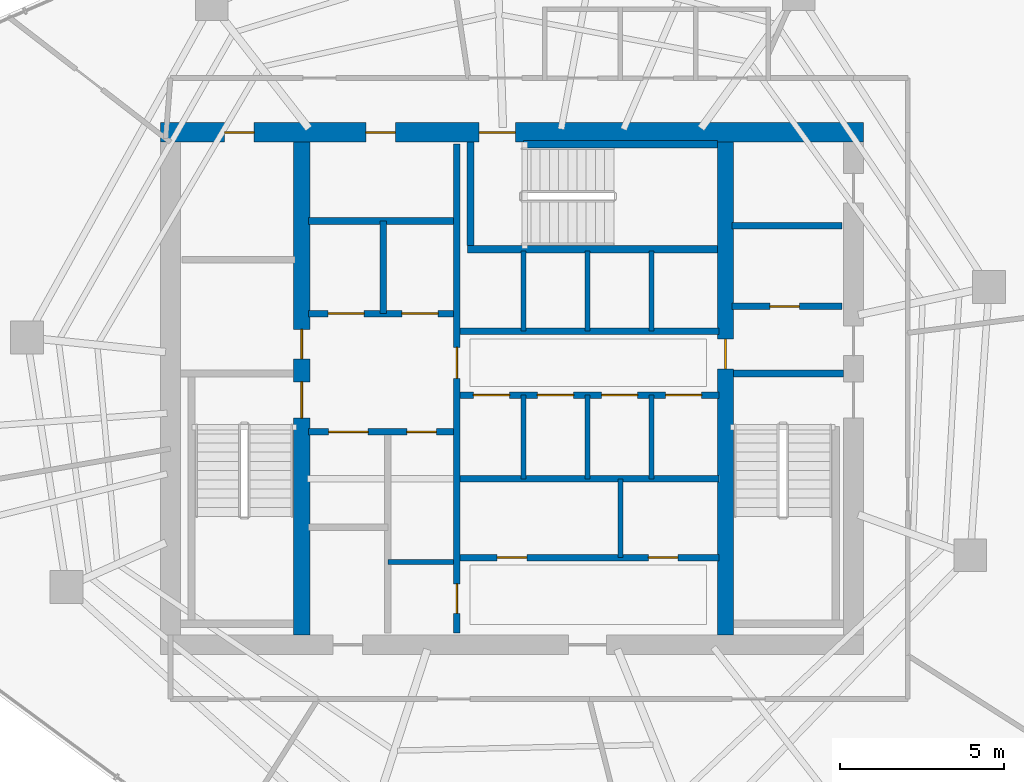
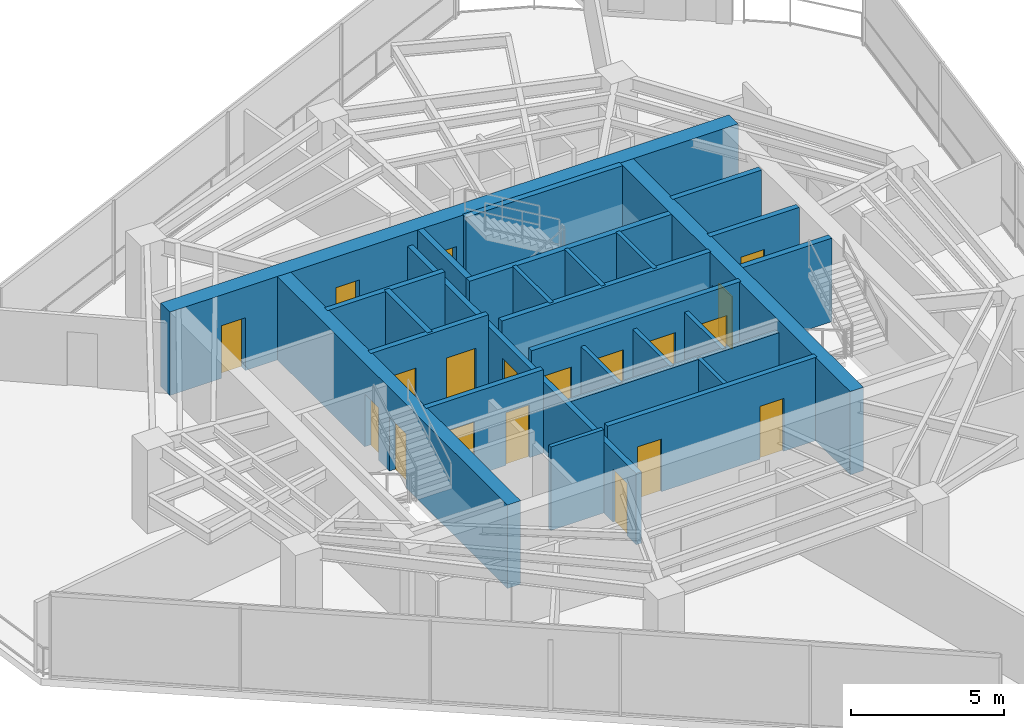
# One storey, part 18 of 22: 26 walls, 19 doors, 19 openings.
"""IFC4 building model written with IfcOpenShell, lengths in metres."""

from ifc_helpers import new_model, si_unit, direction, frame, frame_2d, origin, place, context, subcontext, project, spatial, rectangle, extrude, material, layer, layer_set, type_object, element, fill, save


model = new_model("IFC4")

# Units and contexts
model_context = context("Model", 3, precision=1e-05, world=origin(), true_north=direction((0.0, 1.0)))
body_context = subcontext(model_context, "Body", "Model", "MODEL_VIEW")
ifc_project = project(units=[si_unit("LENGTHUNIT", "METRE"), si_unit("AREAUNIT", "SQUARE_METRE"), si_unit("VOLUMEUNIT", "CUBIC_METRE"), si_unit("PLANEANGLEUNIT", "RADIAN"), si_unit("MASSUNIT", "GRAM", prefix="KILO")], contexts=[model_context])

# Site, building, storey
site_placement = place(None, origin())
site = spatial("IfcSite", under=ifc_project, at=site_placement, CompositionType="ELEMENT")
building_placement = place(site_placement, origin())
building = spatial("IfcBuilding", under=site, at=building_placement, Name="Qarnah Convention Tower", CompositionType="ELEMENT")
storey_placement = place(building_placement, frame((0.0, 0.0, 154.5)))
storey = spatial("IfcBuildingStorey", under=building, at=storey_placement, Name="L41", CompositionType="ELEMENT", Elevation=154.5)

# Wall, openings, doors
ifc_material_1 = material(Name="Concrete C60/75", Category="concrete")
ifc_layer_1 = layer(ifc_material_1, 0.60009765625)
ifc_layer_set_1 = layer_set([ifc_layer_1], Name="Concrete C60/75")
wall_type_1 = type_object("IfcWallType", Name="WL-CORE-600", PredefinedType="SHEAR", material=ifc_layer_set_1)
wall_1_placement = place(storey_placement, frame((26.5, 34.199951171875, 0.0), z_axis=(0.0, 0.0, 1.0), x_axis=(1.0, 0.0, 0.0)))
wall_1 = element("IfcWall", 1, at=wall_1_placement, inside=storey, type_object=wall_type_1, Name="L41 core north shear wall", PredefinedType="SHEAR", context=body_context, shape_type="SweptSolid", body=[
    extrude(rectangle(XDim=21.39990234375, YDim=0.60009765625, at=frame_2d((10.699951171875, 0.0))), origin(), (0.0, 0.0, 1.0), 3.320068359375),
])
opening_1_placement = place(wall_1_placement, frame((9.699951171875, 0.0, 0.0)))
opening_1 = element("IfcOpeningElement", 2, at=opening_1_placement, cuts=wall_1, Name="Opening D-4103", PredefinedType="OPENING", context=body_context, shape_type="SweptSolid", body=[
    extrude(rectangle(XDim=1.10009765625, YDim=2.14990234375, at=frame_2d((0.550048828125, 1.074951171875))), frame((0.0, 0.31005859375, 0.0), z_axis=(0.0, -1.0, 0.0), x_axis=(1.0, 0.0, 0.0)), (0.0, 0.0, 1.0), 0.6201171875),
])
opening_2_placement = place(wall_1_placement, frame((1.949951171875, 0.0, 0.0)))
opening_2 = element("IfcOpeningElement", 3, at=opening_2_placement, cuts=wall_1, Name="Opening D-4109", PredefinedType="OPENING", context=body_context, shape_type="SweptSolid", body=[
    extrude(rectangle(XDim=0.89990234375, YDim=2.10009765625, at=frame_2d((0.449951171875, 1.050048828125))), frame((0.0, 0.31005859375, 0.0), z_axis=(0.0, -1.0, 0.0), x_axis=(1.0, 0.0, 0.0)), (0.0, 0.0, 1.0), 0.6201171875),
])
opening_3_placement = place(wall_1_placement, frame((6.25, 0.0, 0.0)))
opening_3 = element("IfcOpeningElement", 4, at=opening_3_placement, cuts=wall_1, Name="Opening D-4110", PredefinedType="OPENING", context=body_context, shape_type="SweptSolid", body=[
    extrude(rectangle(XDim=0.89990234375, YDim=2.10009765625, at=frame_2d((0.449951171875, 1.050048828125))), frame((0.0, 0.31005859375, 0.0), z_axis=(0.0, -1.0, 0.0), x_axis=(1.0, 0.0, 0.0)), (0.0, 0.0, 1.0), 0.6201171875),
])
ifc_material_2 = material(Name="Structural steel S355JR", Category="steel")
door_type_1 = type_object("IfcDoorType", Name="DT-RISER-900", OperationType="NOTDEFINED", PredefinedType="DOOR", material=ifc_material_2)
door_1_placement = place(opening_2_placement, origin())
door_1 = element("IfcDoor", 5, at=door_1_placement, inside=storey, type_object=door_type_1, Name="Door D-4109", OperationType="SINGLE_SWING_RIGHT", OverallHeight=2.10009765625, OverallWidth=0.89990234375, PredefinedType="DOOR", context=body_context, shape_type="SweptSolid", body=[
    extrude(rectangle(XDim=0.89990234375, YDim=2.10009765625, at=frame_2d((0.449951171875, 1.050048828125))), frame((0.0, 0.02490234375, 0.0), z_axis=(0.0, -1.0, 0.0), x_axis=(1.0, 0.0, 0.0)), (0.0, 0.0, 1.0), 0.050048828125),
])
fill(opening_2, door_1)
door_2_placement = place(opening_3_placement, origin())
door_2 = element("IfcDoor", 6, at=door_2_placement, inside=storey, type_object=door_type_1, Name="Door D-4110", OperationType="SINGLE_SWING_LEFT", OverallHeight=2.10009765625, OverallWidth=0.89990234375, PredefinedType="DOOR", context=body_context, shape_type="SweptSolid", body=[
    extrude(rectangle(XDim=0.89990234375, YDim=2.10009765625, at=frame_2d((0.449951171875, 1.050048828125))), frame((0.0, 0.02490234375, 0.0), z_axis=(0.0, -1.0, 0.0), x_axis=(1.0, 0.0, 0.0)), (0.0, 0.0, 1.0), 0.050048828125),
])
fill(opening_3, door_2)
door_type_2 = type_object("IfcDoorType", Name="DT-STAIR-1100", OperationType="NOTDEFINED", PredefinedType="DOOR", material=ifc_material_2)
door_3_placement = place(opening_1_placement, origin())
door_3 = element("IfcDoor", 7, at=door_3_placement, inside=storey, type_object=door_type_2, Name="Door D-4103", OperationType="SINGLE_SWING_RIGHT", OverallHeight=2.14990234375, OverallWidth=1.10009765625, PredefinedType="DOOR", context=body_context, shape_type="SweptSolid", body=[
    extrude(rectangle(XDim=1.10009765625, YDim=2.14990234375, at=frame_2d((0.550048828125, 1.074951171875))), frame((0.0, 0.02490234375, 0.0), z_axis=(0.0, -1.0, 0.0), x_axis=(1.0, 0.0, 0.0)), (0.0, 0.0, 1.0), 0.050048828125),
])
fill(opening_1, door_3)

ifc_layer_2 = layer(ifc_material_1, 0.5)
ifc_layer_set_2 = layer_set([ifc_layer_2], Name="Concrete C60/75")
wall_type_2 = type_object("IfcWallType", Name="WL-CORE-INT-400", PredefinedType="SHEAR", material=ifc_layer_set_2)
wall_2_placement = place(storey_placement, frame((30.800048828125, 18.89990234375, 0.0), z_axis=(0.0, 0.0, 1.0), x_axis=(0.0, 1.0, 0.0)))
wall_2 = element("IfcWall", 8, at=wall_2_placement, inside=storey, type_object=wall_type_2, Name="L41 core west spine shear wall", PredefinedType="SHEAR", context=body_context, shape_type="SweptSolid", body=[
    extrude(rectangle(XDim=15.0, YDim=0.5, at=frame_2d((7.5, 0.0))), origin(), (0.0, 0.0, 1.0), 3.320068359375),
])
opening_4_placement = place(wall_2_placement, frame((6.60009765625, 0.0, 0.0)))
opening_4 = element("IfcOpeningElement", 9, at=opening_4_placement, cuts=wall_2, Name="Opening D-4101", PredefinedType="OPENING", context=body_context, shape_type="SweptSolid", body=[
    extrude(rectangle(XDim=1.10009765625, YDim=2.14990234375, at=frame_2d((0.550048828125, 1.074951171875))), frame((0.0, 0.260009765625, 0.0), z_axis=(0.0, -1.0, 0.0), x_axis=(1.0, 0.0, 0.0)), (0.0, 0.0, 1.0), 0.52001953125),
])
opening_5_placement = place(wall_2_placement, frame((8.39990234375, 0.0, 0.0)))
opening_5 = element("IfcOpeningElement", 10, at=opening_5_placement, cuts=wall_2, Name="Opening D-4108", PredefinedType="OPENING", context=body_context, shape_type="SweptSolid", body=[
    extrude(rectangle(XDim=0.89990234375, YDim=2.10009765625, at=frame_2d((0.449951171875, 1.050048828125))), frame((0.0, 0.260009765625, 0.0), z_axis=(0.0, -1.0, 0.0), x_axis=(1.0, 0.0, 0.0)), (0.0, 0.0, 1.0), 0.52001953125),
])
door_4_placement = place(opening_5_placement, origin())
door_4 = element("IfcDoor", 11, at=door_4_placement, inside=storey, type_object=door_type_1, Name="Door D-4108", OperationType="SINGLE_SWING_LEFT", OverallHeight=2.10009765625, OverallWidth=0.89990234375, PredefinedType="DOOR", context=body_context, shape_type="SweptSolid", body=[
    extrude(rectangle(XDim=0.89990234375, YDim=2.10009765625, at=frame_2d((0.449951171875, 1.050048828125))), frame((0.0, 0.02490234375, 0.0), z_axis=(0.0, -1.0, 0.0), x_axis=(1.0, 0.0, 0.0)), (0.0, 0.0, 1.0), 0.050048828125),
])
fill(opening_5, door_4)
door_5_placement = place(opening_4_placement, origin())
door_5 = element("IfcDoor", 12, at=door_5_placement, inside=storey, type_object=door_type_2, Name="Door D-4101", OperationType="SINGLE_SWING_RIGHT", OverallHeight=2.14990234375, OverallWidth=1.10009765625, PredefinedType="DOOR", context=body_context, shape_type="SweptSolid", body=[
    extrude(rectangle(XDim=1.10009765625, YDim=2.14990234375, at=frame_2d((0.550048828125, 1.074951171875))), frame((0.0, 0.02490234375, 0.0), z_axis=(0.0, -1.0, 0.0), x_axis=(1.0, 0.0, 0.0)), (0.0, 0.0, 1.0), 0.050048828125),
])
fill(opening_4, door_5)

# Wall, opening, door
wall_3_placement = place(storey_placement, frame((43.699951171875, 18.89990234375, 0.0), z_axis=(0.0, 0.0, 1.0), x_axis=(0.0, 1.0, 0.0)))
wall_3 = element("IfcWall", 13, at=wall_3_placement, inside=storey, type_object=wall_type_2, Name="L41 core east spine shear wall", PredefinedType="SHEAR", context=body_context, shape_type="SweptSolid", body=[
    extrude(rectangle(XDim=15.0, YDim=0.5, at=frame_2d((7.5, 0.0))), origin(), (0.0, 0.0, 1.0), 3.320068359375),
])
opening_6_placement = place(wall_3_placement, frame((8.10009765625, 0.0, 0.0)))
opening_6 = element("IfcOpeningElement", 14, at=opening_6_placement, cuts=wall_3, Name="Opening D-4105", PredefinedType="OPENING", context=body_context, shape_type="SweptSolid", body=[
    extrude(rectangle(XDim=0.89990234375, YDim=2.10009765625, at=frame_2d((0.449951171875, 1.050048828125))), frame((0.0, 0.260009765625, 0.0), z_axis=(0.0, -1.0, 0.0), x_axis=(1.0, 0.0, 0.0)), (0.0, 0.0, 1.0), 0.52001953125),
])
door_6_placement = place(opening_6_placement, origin())
door_6 = element("IfcDoor", 15, at=door_6_placement, inside=storey, type_object=door_type_1, Name="Door D-4105", OperationType="SINGLE_SWING_RIGHT", OverallHeight=2.10009765625, OverallWidth=0.89990234375, PredefinedType="DOOR", context=body_context, shape_type="SweptSolid", body=[
    extrude(rectangle(XDim=0.89990234375, YDim=2.10009765625, at=frame_2d((0.449951171875, 1.050048828125))), frame((0.0, 0.02490234375, 0.0), z_axis=(0.0, -1.0, 0.0), x_axis=(1.0, 0.0, 0.0)), (0.0, 0.0, 1.0), 0.050048828125),
])
fill(opening_6, door_6)

ifc_material_3 = material(Name="Concrete C45/55", Category="concrete")
ifc_layer_3 = layer(ifc_material_3, 0.199951171875)
ifc_layer_set_3 = layer_set([ifc_layer_3], Name="Concrete C45/55")
wall_type_3 = type_object("IfcWallType", Name="WL-CORE-PART-200", PredefinedType="SOLIDWALL", material=ifc_layer_set_3)
wall_4_placement = place(storey_placement, frame((43.89990234375, 28.89990234375, 0.0), z_axis=(0.0, 0.0, 1.0), x_axis=(1.0, 0.0, 0.0)))
wall_4 = element("IfcWall", 16, at=wall_4_placement, inside=storey, type_object=wall_type_3, Name="L41 interior wall IW-L41-EVSTN", PredefinedType="SOLIDWALL", context=body_context, shape_type="SweptSolid", body=[
    extrude(rectangle(XDim=3.35009765625, YDim=0.199951171875, at=frame_2d((1.675048828125, 0.0))), origin(), (0.0, 0.0, 1.0), 3.320068359375),
])
opening_7_placement = place(wall_4_placement, frame((1.14990234375, 0.0, 0.0)))
opening_7 = element("IfcOpeningElement", 17, at=opening_7_placement, cuts=wall_4, Name="Opening D-4111", PredefinedType="OPENING", context=body_context, shape_type="SweptSolid", body=[
    extrude(rectangle(XDim=0.89990234375, YDim=2.10009765625, at=frame_2d((0.449951171875, 1.050048828125))), frame((0.0, 0.10986328125, 0.0), z_axis=(0.0, -1.0, 0.0), x_axis=(1.0, 0.0, 0.0)), (0.0, 0.0, 1.0), 0.219970703125),
])
door_7_placement = place(opening_7_placement, origin())
door_7 = element("IfcDoor", 18, at=door_7_placement, inside=storey, type_object=door_type_1, Name="Door D-4111", OperationType="SINGLE_SWING_RIGHT", OverallHeight=2.10009765625, OverallWidth=0.89990234375, PredefinedType="DOOR", context=body_context, shape_type="SweptSolid", body=[
    extrude(rectangle(XDim=0.89990234375, YDim=2.10009765625, at=frame_2d((0.449951171875, 1.050048828125))), frame((0.0, 0.02490234375, 0.0), z_axis=(0.0, -1.0, 0.0), x_axis=(1.0, 0.0, 0.0)), (0.0, 0.0, 1.0), 0.050048828125),
])
fill(opening_7, door_7)

# Wall
wall_5_placement = place(storey_placement, frame((43.89990234375, 31.35009765625, 0.0), z_axis=(0.0, 0.0, 1.0), x_axis=(1.0, 0.0, 0.0)))
element("IfcWall", 19, at=wall_5_placement, inside=storey, type_object=wall_type_3, Name="L41 interior wall IW-L41-WTRN", PredefinedType="SOLIDWALL", context=body_context, shape_type="SweptSolid", body=[
    extrude(rectangle(XDim=3.35009765625, YDim=0.199951171875, at=frame_2d((1.675048828125, 0.0))), origin(), (0.0, 0.0, 1.0), 3.320068359375),
])

# Wall, openings, doors
wall_6_placement = place(storey_placement, frame((35.52001953125, 18.949951171875, 0.0), z_axis=(0.0, 0.0, 1.0), x_axis=(0.0, 1.0, 0.0)))
wall_6 = element("IfcWall", 20, at=wall_6_placement, inside=storey, type_object=wall_type_3, Name="L41 interior wall IW-L41-CSP", PredefinedType="SOLIDWALL", context=body_context, shape_type="SweptSolid", body=[
    extrude(rectangle(XDim=14.900146484375, YDim=0.199951171875, at=frame_2d((7.4501953125, 0.0))), origin(), (0.0, 0.0, 1.0), 2.841064453125),
])
opening_8_placement = place(wall_6_placement, frame((7.7548828125, 0.0, 0.0)))
opening_8 = element("IfcOpeningElement", 21, at=opening_8_placement, cuts=wall_6, Name="Opening D-4104", PredefinedType="OPENING", context=body_context, shape_type="SweptSolid", body=[
    extrude(rectangle(XDim=0.949951171875, YDim=2.14990234375, at=frame_2d((0.47509765625, 1.074951171875))), frame((0.0, 0.10986328125, 0.0), z_axis=(0.0, -1.0, 0.0), x_axis=(1.0, 0.0, 0.0)), (0.0, 0.0, 1.0), 0.219970703125),
])
opening_9_placement = place(wall_6_placement, frame((0.60009765625, 0.0, 0.0)))
opening_9 = element("IfcOpeningElement", 22, at=opening_9_placement, cuts=wall_6, Name="Opening D-4114", PredefinedType="OPENING", context=body_context, shape_type="SweptSolid", body=[
    extrude(rectangle(XDim=0.89990234375, YDim=2.10009765625, at=frame_2d((0.449951171875, 1.050048828125))), frame((0.0, 0.10986328125, 0.0), z_axis=(0.0, -1.0, 0.0), x_axis=(1.0, 0.0, 0.0)), (0.0, 0.0, 1.0), 0.219970703125),
])
ifc_material_4 = material(Name="Oak timber veneer", Category="wood")
door_type_3 = type_object("IfcDoorType", Name="DT-HOTEL-950", OperationType="NOTDEFINED", PredefinedType="DOOR", material=ifc_material_4)
door_8_placement = place(opening_8_placement, origin())
door_8 = element("IfcDoor", 23, at=door_8_placement, inside=storey, type_object=door_type_3, Name="Door D-4104", OperationType="SINGLE_SWING_LEFT", OverallHeight=2.14990234375, OverallWidth=0.949951171875, PredefinedType="DOOR", context=body_context, shape_type="SweptSolid", body=[
    extrude(rectangle(XDim=0.949951171875, YDim=2.14990234375, at=frame_2d((0.47509765625, 1.074951171875))), frame((0.0, 0.02490234375, 0.0), z_axis=(0.0, -1.0, 0.0), x_axis=(1.0, 0.0, 0.0)), (0.0, 0.0, 1.0), 0.050048828125),
])
fill(opening_8, door_8)
door_9_placement = place(opening_9_placement, origin())
door_9 = element("IfcDoor", 24, at=door_9_placement, inside=storey, type_object=door_type_1, Name="Door D-4114", OperationType="SINGLE_SWING_LEFT", OverallHeight=2.10009765625, OverallWidth=0.89990234375, PredefinedType="DOOR", context=body_context, shape_type="SweptSolid", body=[
    extrude(rectangle(XDim=0.89990234375, YDim=2.10009765625, at=frame_2d((0.449951171875, 1.050048828125))), frame((0.0, 0.02490234375, 0.0), z_axis=(0.0, -1.0, 0.0), x_axis=(1.0, 0.0, 0.0)), (0.0, 0.0, 1.0), 0.050048828125),
])
fill(opening_9, door_9)

wall_7_placement = place(storey_placement, frame((31.0, 28.679931640625, 0.0), z_axis=(0.0, 0.0, 1.0), x_axis=(1.0, 0.0, 0.0)))
wall_7 = element("IfcWall", 25, at=wall_7_placement, inside=storey, type_object=wall_type_3, Name="L41 interior wall IW-L41-FFLS", PredefinedType="SOLIDWALL", context=body_context, shape_type="SweptSolid", body=[
    extrude(rectangle(XDim=4.419921875, YDim=0.199951171875, at=frame_2d((2.2099609375, 0.0))), origin(), (0.0, 0.0, 1.0), 3.320068359375),
])
opening_10_placement = place(wall_7_placement, frame((0.60009765625, 0.0, 0.0)))
opening_10 = element("IfcOpeningElement", 26, at=opening_10_placement, cuts=wall_7, Name="Opening LD-4101", PredefinedType="OPENING", context=body_context, shape_type="SweptSolid", body=[
    extrude(rectangle(XDim=1.10009765625, YDim=2.14990234375, at=frame_2d((0.550048828125, 1.074951171875))), frame((0.0, 0.10986328125, 0.0), z_axis=(0.0, -1.0, 0.0), x_axis=(1.0, 0.0, 0.0)), (0.0, 0.0, 1.0), 0.219970703125),
])
opening_11_placement = place(wall_7_placement, frame((2.85009765625, 0.0, 0.0)))
opening_11 = element("IfcOpeningElement", 27, at=opening_11_placement, cuts=wall_7, Name="Opening LD-4102", PredefinedType="OPENING", context=body_context, shape_type="SweptSolid", body=[
    extrude(rectangle(XDim=1.10009765625, YDim=2.14990234375, at=frame_2d((0.550048828125, 1.074951171875))), frame((0.0, 0.10986328125, 0.0), z_axis=(0.0, -1.0, 0.0), x_axis=(1.0, 0.0, 0.0)), (0.0, 0.0, 1.0), 0.219970703125),
])
door_type_4 = type_object("IfcDoorType", Name="DT-LIFT-1100", OperationType="SLIDING_TO_LEFT", PredefinedType="DOOR", material=ifc_material_2)
door_10_placement = place(opening_10_placement, origin())
door_10 = element("IfcDoor", 28, at=door_10_placement, inside=storey, type_object=door_type_4, Name="Door LD-4101", OperationType="SLIDING_TO_LEFT", OverallHeight=2.14990234375, OverallWidth=1.10009765625, PredefinedType="DOOR", context=body_context, shape_type="SweptSolid", body=[
    extrude(rectangle(XDim=1.10009765625, YDim=2.14990234375, at=frame_2d((0.550048828125, 1.074951171875))), frame((0.0, 0.02490234375, 0.0), z_axis=(0.0, -1.0, 0.0), x_axis=(1.0, 0.0, 0.0)), (0.0, 0.0, 1.0), 0.050048828125),
])
fill(opening_10, door_10)
door_11_placement = place(opening_11_placement, origin())
door_11 = element("IfcDoor", 29, at=door_11_placement, inside=storey, type_object=door_type_4, Name="Door LD-4102", OperationType="SLIDING_TO_LEFT", OverallHeight=2.14990234375, OverallWidth=1.10009765625, PredefinedType="DOOR", context=body_context, shape_type="SweptSolid", body=[
    extrude(rectangle(XDim=1.10009765625, YDim=2.14990234375, at=frame_2d((0.550048828125, 1.074951171875))), frame((0.0, 0.02490234375, 0.0), z_axis=(0.0, -1.0, 0.0), x_axis=(1.0, 0.0, 0.0)), (0.0, 0.0, 1.0), 0.050048828125),
])
fill(opening_11, door_11)

# Walls
wall_8_placement = place(storey_placement, frame((31.0, 31.5, 0.0), z_axis=(0.0, 0.0, 1.0), x_axis=(1.0, 0.0, 0.0)))
element("IfcWall", 30, at=wall_8_placement, inside=storey, type_object=wall_type_3, Name="L41 interior wall IW-L41-FFLN", PredefinedType="SOLIDWALL", context=body_context, shape_type="SweptSolid", body=[
    extrude(rectangle(XDim=4.419921875, YDim=0.199951171875, at=frame_2d((2.2099609375, 0.0))), origin(), (0.0, 0.0, 1.0), 3.320068359375),
])
wall_9_placement = place(storey_placement, frame((33.280029296875, 28.679931640625, 0.0), z_axis=(0.0, 0.0, 1.0), x_axis=(0.0, 1.0, 0.0)))
element("IfcWall", 31, at=wall_9_placement, inside=storey, type_object=wall_type_3, Name="L41 interior wall IW-L41-FFLM", PredefinedType="SOLIDWALL", context=body_context, shape_type="SweptSolid", body=[
    extrude(rectangle(XDim=2.820068359375, YDim=0.199951171875, at=frame_2d((1.41015625, 0.0))), origin(), (0.0, 0.0, 1.0), 3.320068359375),
])

# Wall, openings, doors
wall_10_placement = place(storey_placement, frame((31.0, 25.080078125, 0.0), z_axis=(0.0, 0.0, 1.0), x_axis=(1.0, 0.0, 0.0)))
wall_10 = element("IfcWall", 32, at=wall_10_placement, inside=storey, type_object=wall_type_3, Name="L41 interior wall IW-L41-FFLBS", PredefinedType="SOLIDWALL", context=body_context, shape_type="SweptSolid", body=[
    extrude(rectangle(XDim=4.419921875, YDim=0.199951171875, at=frame_2d((2.2099609375, 0.0))), origin(), (0.0, 0.0, 1.0), 3.320068359375),
])
opening_12_placement = place(wall_10_placement, frame((3.0, 0.0, 0.0)))
opening_12 = element("IfcOpeningElement", 33, at=opening_12_placement, cuts=wall_10, Name="Opening D-4115", PredefinedType="OPENING", context=body_context, shape_type="SweptSolid", body=[
    extrude(rectangle(XDim=0.89990234375, YDim=2.10009765625, at=frame_2d((0.449951171875, 1.050048828125))), frame((0.0, 0.10986328125, 0.0), z_axis=(0.0, -1.0, 0.0), x_axis=(1.0, 0.0, 0.0)), (0.0, 0.0, 1.0), 0.219970703125),
])
opening_13_placement = place(wall_10_placement, frame((0.6201171875, 0.0, 0.0)))
opening_13 = element("IfcOpeningElement", 34, at=opening_13_placement, cuts=wall_10, Name="Opening LD-4103", PredefinedType="OPENING", context=body_context, shape_type="SweptSolid", body=[
    extrude(rectangle(XDim=1.199951171875, YDim=2.14990234375, at=frame_2d((0.60009765625, 1.074951171875))), frame((0.0, 0.10986328125, 0.0), z_axis=(0.0, -1.0, 0.0), x_axis=(1.0, 0.0, 0.0)), (0.0, 0.0, 1.0), 0.219970703125),
])
door_type_5 = type_object("IfcDoorType", Name="DT-LIFT-1200", OperationType="SLIDING_TO_LEFT", PredefinedType="DOOR", material=ifc_material_2)
door_12_placement = place(opening_13_placement, origin())
door_12 = element("IfcDoor", 35, at=door_12_placement, inside=storey, type_object=door_type_5, Name="Door LD-4103", OperationType="SLIDING_TO_LEFT", OverallHeight=2.14990234375, OverallWidth=1.199951171875, PredefinedType="DOOR", context=body_context, shape_type="SweptSolid", body=[
    extrude(rectangle(XDim=1.199951171875, YDim=2.14990234375, at=frame_2d((0.60009765625, 1.074951171875))), frame((0.0, 0.02490234375, 0.0), z_axis=(0.0, -1.0, 0.0), x_axis=(1.0, 0.0, 0.0)), (0.0, 0.0, 1.0), 0.050048828125),
])
fill(opening_13, door_12)
door_13_placement = place(opening_12_placement, origin())
door_13 = element("IfcDoor", 36, at=door_13_placement, inside=storey, type_object=door_type_1, Name="Door D-4115", OperationType="SINGLE_SWING_RIGHT", OverallHeight=2.10009765625, OverallWidth=0.89990234375, PredefinedType="DOOR", context=body_context, shape_type="SweptSolid", body=[
    extrude(rectangle(XDim=0.89990234375, YDim=2.10009765625, at=frame_2d((0.449951171875, 1.050048828125))), frame((0.0, 0.02490234375, 0.0), z_axis=(0.0, -1.0, 0.0), x_axis=(1.0, 0.0, 0.0)), (0.0, 0.0, 1.0), 0.050048828125),
])
fill(opening_12, door_13)

# Wall
wall_11_placement = place(storey_placement, frame((35.6201171875, 28.14990234375, 0.0), z_axis=(0.0, 0.0, 1.0), x_axis=(1.0, 0.0, 0.0)))
element("IfcWall", 37, at=wall_11_placement, inside=storey, type_object=wall_type_3, Name="L41 interior wall IW-L41-PHS", PredefinedType="SOLIDWALL", context=body_context, shape_type="SweptSolid", body=[
    extrude(rectangle(XDim=7.8798828125, YDim=0.199951171875, at=frame_2d((3.93994140625, 0.0))), origin(), (0.0, 0.0, 1.0), 3.320068359375),
])

# Wall, openings, doors
wall_12_placement = place(storey_placement, frame((35.6201171875, 26.199951171875, 0.0), z_axis=(0.0, 0.0, 1.0), x_axis=(1.0, 0.0, 0.0)))
wall_12 = element("IfcWall", 38, at=wall_12_placement, inside=storey, type_object=wall_type_3, Name="L41 interior wall IW-L41-PMN", PredefinedType="SOLIDWALL", context=body_context, shape_type="SweptSolid", body=[
    extrude(rectangle(XDim=7.8798828125, YDim=0.199951171875, at=frame_2d((3.93994140625, 0.0))), origin(), (0.0, 0.0, 1.0), 3.320068359375),
])
opening_14_placement = place(wall_12_placement, frame((0.405029296875, 0.0, 0.0)))
opening_14 = element("IfcOpeningElement", 39, at=opening_14_placement, cuts=wall_12, Name="Opening LD-4104", PredefinedType="OPENING", context=body_context, shape_type="SweptSolid", body=[
    extrude(rectangle(XDim=1.10009765625, YDim=2.14990234375, at=frame_2d((0.550048828125, 1.074951171875))), frame((0.0, 0.10986328125, 0.0), z_axis=(0.0, -1.0, 0.0), x_axis=(1.0, 0.0, 0.0)), (0.0, 0.0, 1.0), 0.219970703125),
])
opening_15_placement = place(wall_12_placement, frame((2.35498046875, 0.0, 0.0)))
opening_15 = element("IfcOpeningElement", 40, at=opening_15_placement, cuts=wall_12, Name="Opening LD-4105", PredefinedType="OPENING", context=body_context, shape_type="SweptSolid", body=[
    extrude(rectangle(XDim=1.10009765625, YDim=2.14990234375, at=frame_2d((0.550048828125, 1.074951171875))), frame((0.0, 0.10986328125, 0.0), z_axis=(0.0, -1.0, 0.0), x_axis=(1.0, 0.0, 0.0)), (0.0, 0.0, 1.0), 0.219970703125),
])
opening_16_placement = place(wall_12_placement, frame((4.304931640625, 0.0, 0.0)))
opening_16 = element("IfcOpeningElement", 41, at=opening_16_placement, cuts=wall_12, Name="Opening LD-4106", PredefinedType="OPENING", context=body_context, shape_type="SweptSolid", body=[
    extrude(rectangle(XDim=1.10009765625, YDim=2.14990234375, at=frame_2d((0.550048828125, 1.074951171875))), frame((0.0, 0.10986328125, 0.0), z_axis=(0.0, -1.0, 0.0), x_axis=(1.0, 0.0, 0.0)), (0.0, 0.0, 1.0), 0.219970703125),
])
opening_17_placement = place(wall_12_placement, frame((6.2548828125, 0.0, 0.0)))
opening_17 = element("IfcOpeningElement", 42, at=opening_17_placement, cuts=wall_12, Name="Opening LD-4107", PredefinedType="OPENING", context=body_context, shape_type="SweptSolid", body=[
    extrude(rectangle(XDim=1.10009765625, YDim=2.14990234375, at=frame_2d((0.550048828125, 1.074951171875))), frame((0.0, 0.10986328125, 0.0), z_axis=(0.0, -1.0, 0.0), x_axis=(1.0, 0.0, 0.0)), (0.0, 0.0, 1.0), 0.219970703125),
])
door_14_placement = place(opening_14_placement, origin())
door_14 = element("IfcDoor", 43, at=door_14_placement, inside=storey, type_object=door_type_4, Name="Door LD-4104", OperationType="SLIDING_TO_LEFT", OverallHeight=2.14990234375, OverallWidth=1.10009765625, PredefinedType="DOOR", context=body_context, shape_type="SweptSolid", body=[
    extrude(rectangle(XDim=1.10009765625, YDim=2.14990234375, at=frame_2d((0.550048828125, 1.074951171875))), frame((0.0, 0.02490234375, 0.0), z_axis=(0.0, -1.0, 0.0), x_axis=(1.0, 0.0, 0.0)), (0.0, 0.0, 1.0), 0.050048828125),
])
fill(opening_14, door_14)
door_15_placement = place(opening_15_placement, origin())
door_15 = element("IfcDoor", 44, at=door_15_placement, inside=storey, type_object=door_type_4, Name="Door LD-4105", OperationType="SLIDING_TO_LEFT", OverallHeight=2.14990234375, OverallWidth=1.10009765625, PredefinedType="DOOR", context=body_context, shape_type="SweptSolid", body=[
    extrude(rectangle(XDim=1.10009765625, YDim=2.14990234375, at=frame_2d((0.550048828125, 1.074951171875))), frame((0.0, 0.02490234375, 0.0), z_axis=(0.0, -1.0, 0.0), x_axis=(1.0, 0.0, 0.0)), (0.0, 0.0, 1.0), 0.050048828125),
])
fill(opening_15, door_15)
door_16_placement = place(opening_16_placement, origin())
door_16 = element("IfcDoor", 45, at=door_16_placement, inside=storey, type_object=door_type_4, Name="Door LD-4106", OperationType="SLIDING_TO_LEFT", OverallHeight=2.14990234375, OverallWidth=1.10009765625, PredefinedType="DOOR", context=body_context, shape_type="SweptSolid", body=[
    extrude(rectangle(XDim=1.10009765625, YDim=2.14990234375, at=frame_2d((0.550048828125, 1.074951171875))), frame((0.0, 0.02490234375, 0.0), z_axis=(0.0, -1.0, 0.0), x_axis=(1.0, 0.0, 0.0)), (0.0, 0.0, 1.0), 0.050048828125),
])
fill(opening_16, door_16)
door_17_placement = place(opening_17_placement, origin())
door_17 = element("IfcDoor", 46, at=door_17_placement, inside=storey, type_object=door_type_4, Name="Door LD-4107", OperationType="SLIDING_TO_LEFT", OverallHeight=2.14990234375, OverallWidth=1.10009765625, PredefinedType="DOOR", context=body_context, shape_type="SweptSolid", body=[
    extrude(rectangle(XDim=1.10009765625, YDim=2.14990234375, at=frame_2d((0.550048828125, 1.074951171875))), frame((0.0, 0.02490234375, 0.0), z_axis=(0.0, -1.0, 0.0), x_axis=(1.0, 0.0, 0.0)), (0.0, 0.0, 1.0), 0.050048828125),
])
fill(opening_17, door_17)

# Wall
wall_13_placement = place(storey_placement, frame((35.6201171875, 23.64990234375, 0.0), z_axis=(0.0, 0.0, 1.0), x_axis=(1.0, 0.0, 0.0)))
element("IfcWall", 47, at=wall_13_placement, inside=storey, type_object=wall_type_3, Name="L41 interior wall IW-L41-PMPL", PredefinedType="SOLIDWALL", context=body_context, shape_type="SweptSolid", body=[
    extrude(rectangle(XDim=7.8798828125, YDim=0.199951171875, at=frame_2d((3.93994140625, 0.0))), origin(), (0.0, 0.0, 1.0), 2.841064453125),
])

# Wall, openings, doors
wall_14_placement = place(storey_placement, frame((35.6201171875, 21.25, 0.0), z_axis=(0.0, 0.0, 1.0), x_axis=(1.0, 0.0, 0.0)))
wall_14 = element("IfcWall", 48, at=wall_14_placement, inside=storey, type_object=wall_type_3, Name="L41 interior wall IW-L41-PLS", PredefinedType="SOLIDWALL", context=body_context, shape_type="SweptSolid", body=[
    extrude(rectangle(XDim=7.8798828125, YDim=0.199951171875, at=frame_2d((3.93994140625, 0.0))), origin(), (0.0, 0.0, 1.0), 3.320068359375),
])
opening_18_placement = place(wall_14_placement, frame((1.1298828125, 0.0, 0.0)))
opening_18 = element("IfcOpeningElement", 49, at=opening_18_placement, cuts=wall_14, Name="Opening D-4116", PredefinedType="OPENING", context=body_context, shape_type="SweptSolid", body=[
    extrude(rectangle(XDim=0.89990234375, YDim=2.10009765625, at=frame_2d((0.449951171875, 1.050048828125))), frame((0.0, 0.10986328125, 0.0), z_axis=(0.0, -1.0, 0.0), x_axis=(1.0, 0.0, 0.0)), (0.0, 0.0, 1.0), 0.219970703125),
])
opening_19_placement = place(wall_14_placement, frame((5.72998046875, 0.0, 0.0)))
opening_19 = element("IfcOpeningElement", 50, at=opening_19_placement, cuts=wall_14, Name="Opening D-4117", PredefinedType="OPENING", context=body_context, shape_type="SweptSolid", body=[
    extrude(rectangle(XDim=0.89990234375, YDim=2.10009765625, at=frame_2d((0.449951171875, 1.050048828125))), frame((0.0, 0.10986328125, 0.0), z_axis=(0.0, -1.0, 0.0), x_axis=(1.0, 0.0, 0.0)), (0.0, 0.0, 1.0), 0.219970703125),
])
door_18_placement = place(opening_18_placement, origin())
door_18 = element("IfcDoor", 51, at=door_18_placement, inside=storey, type_object=door_type_1, Name="Door D-4116", OperationType="SINGLE_SWING_LEFT", OverallHeight=2.10009765625, OverallWidth=0.89990234375, PredefinedType="DOOR", context=body_context, shape_type="SweptSolid", body=[
    extrude(rectangle(XDim=0.89990234375, YDim=2.10009765625, at=frame_2d((0.449951171875, 1.050048828125))), frame((0.0, 0.02490234375, 0.0), z_axis=(0.0, -1.0, 0.0), x_axis=(1.0, 0.0, 0.0)), (0.0, 0.0, 1.0), 0.050048828125),
])
fill(opening_18, door_18)
door_19_placement = place(opening_19_placement, origin())
door_19 = element("IfcDoor", 52, at=door_19_placement, inside=storey, type_object=door_type_1, Name="Door D-4117", OperationType="SINGLE_SWING_RIGHT", OverallHeight=2.10009765625, OverallWidth=0.89990234375, PredefinedType="DOOR", context=body_context, shape_type="SweptSolid", body=[
    extrude(rectangle(XDim=0.89990234375, YDim=2.10009765625, at=frame_2d((0.449951171875, 1.050048828125))), frame((0.0, 0.02490234375, 0.0), z_axis=(0.0, -1.0, 0.0), x_axis=(1.0, 0.0, 0.0)), (0.0, 0.0, 1.0), 0.050048828125),
])
fill(opening_19, door_19)

# Walls
ifc_layer_4 = layer(ifc_material_1, 0.219970703125)
ifc_layer_set_4 = layer_set([ifc_layer_4], Name="Concrete C60/75")
wall_type_4 = type_object("IfcWallType", Name="WL-CORE-STAIR-220", PredefinedType="SHEAR", material=ifc_layer_set_4)
wall_15_placement = place(storey_placement, frame((43.949951171875, 26.860107421875, 0.0), z_axis=(0.0, 0.0, 1.0), x_axis=(1.0, 0.0, 0.0)))
element("IfcWall", 53, at=wall_15_placement, inside=storey, type_object=wall_type_4, Name="L41 stair shaft shear wall SW-L41-ST2N", PredefinedType="SHEAR", context=body_context, shape_type="SweptSolid", body=[
    extrude(rectangle(XDim=3.35009765625, YDim=0.219970703125, at=frame_2d((1.675048828125, 0.0))), origin(), (0.0, 0.0, 1.0), 3.320068359375),
])
wall_16_placement = place(storey_placement, frame((35.840087890625, 30.639892578125, 0.0), z_axis=(0.0, 0.0, 1.0), x_axis=(1.0, 0.0, 0.0)))
element("IfcWall", 54, at=wall_16_placement, inside=storey, type_object=wall_type_4, Name="L41 stair shaft shear wall SW-L41-ST3S", PredefinedType="SHEAR", context=body_context, shape_type="SweptSolid", body=[
    extrude(rectangle(XDim=7.60986328125, YDim=0.219970703125, at=frame_2d((3.804931640625, 0.0))), origin(), (0.0, 0.0, 1.0), 3.320068359375),
])
wall_17_placement = place(storey_placement, frame((35.93994140625, 30.75, 0.0), z_axis=(0.0, 0.0, 1.0), x_axis=(0.0, 1.0, 0.0)))
element("IfcWall", 55, at=wall_17_placement, inside=storey, type_object=wall_type_4, Name="L41 stair shaft shear wall SW-L41-ST3W", PredefinedType="SHEAR", context=body_context, shape_type="SweptSolid", body=[
    extrude(rectangle(XDim=3.14990234375, YDim=0.219970703125, at=frame_2d((1.574951171875, 0.0))), origin(), (0.0, 0.0, 1.0), 3.320068359375),
])
wall_18_placement = place(storey_placement, frame((37.550048828125, 33.840087890625, 0.0), z_axis=(0.0, 0.0, 1.0), x_axis=(1.0, 0.0, 0.0)))
element("IfcWall", 56, at=wall_18_placement, inside=storey, type_object=wall_type_4, Name="L41 stair shaft shear wall SW-L41-ST3N", PredefinedType="SHEAR", context=body_context, shape_type="SweptSolid", body=[
    extrude(rectangle(XDim=5.89990234375, YDim=0.219970703125, at=frame_2d((2.949951171875, 0.0))), origin(), (0.0, 0.0, 1.0), 3.320068359375),
])
ifc_material_5 = material(Name="Gypsum partition board")
ifc_layer_5 = layer(ifc_material_5, 0.14990234375)
ifc_layer_set_5 = layer_set([ifc_layer_5], Name="Gypsum partition board")
wall_type_5 = type_object("IfcWallType", Name="WL-SUITE-150", PredefinedType="PARTITIONING", material=ifc_layer_set_5)
wall_19_placement = place(storey_placement, frame((33.419921875, 21.1201171875, 0.0), z_axis=(0.0, 0.0, 1.0), x_axis=(1.0, 0.0, 0.0)))
element("IfcWall", 57, at=wall_19_placement, inside=storey, type_object=wall_type_5, Name="L41 interior wall IW-L41-CSV1", PredefinedType="PARTITIONING", context=body_context, shape_type="SweptSolid", body=[
    extrude(rectangle(XDim=2.0, YDim=0.14990234375, at=frame_2d((1.0, 0.0))), origin(), (0.0, 0.0, 1.0), 3.320068359375),
])
for number, where, z_axis, x_axis, name in (
    (58, (37.550048828125, 28.14990234375, 0.0), (0.0, 0.0, 1.0), (0.0, 1.0, 0.0), "L41 interior wall IW-L41-PHD1"),
    (59, (39.5, 28.14990234375, 0.0), (0.0, 0.0, 1.0), (0.0, 1.0, 0.0), "L41 interior wall IW-L41-PHD2"),
    (60, (41.449951171875, 28.14990234375, 0.0), (0.0, 0.0, 1.0), (0.0, 1.0, 0.0), "L41 interior wall IW-L41-PHD3"),
):
    element("IfcWall", number, at=place(storey_placement, frame(where, z_axis=z_axis, x_axis=x_axis)), inside=storey, type_object=wall_type_5, Name=name, PredefinedType="PARTITIONING", context=body_context, shape_type="SweptSolid", body=[
        extrude(rectangle(XDim=2.43017578125, YDim=0.14990234375, at=frame_2d((1.215087890625, 0.0))), origin(), (0.0, 0.0, 1.0), 3.320068359375),
    ])
for number, where, z_axis, x_axis, name in (
    (61, (37.550048828125, 23.64990234375, 0.0), (0.0, 0.0, 1.0), (0.0, 1.0, 0.0), "L41 interior wall IW-L41-PMD1"),
    (62, (39.5, 23.64990234375, 0.0), (0.0, 0.0, 1.0), (0.0, 1.0, 0.0), "L41 interior wall IW-L41-PMD2"),
    (63, (41.449951171875, 23.64990234375, 0.0), (0.0, 0.0, 1.0), (0.0, 1.0, 0.0), "L41 interior wall IW-L41-PMD3"),
):
    element("IfcWall", number, at=place(storey_placement, frame(where, z_axis=z_axis, x_axis=x_axis)), inside=storey, type_object=wall_type_5, Name=name, PredefinedType="PARTITIONING", context=body_context, shape_type="SweptSolid", body=[
        extrude(rectangle(XDim=2.550048828125, YDim=0.14990234375, at=frame_2d((1.27490234375, 0.0))), origin(), (0.0, 0.0, 1.0), 2.841064453125),
    ])
wall_20_placement = place(storey_placement, frame((40.5, 21.25, 0.0), z_axis=(0.0, 0.0, 1.0), x_axis=(0.0, 1.0, 0.0)))
element("IfcWall", 64, at=wall_20_placement, inside=storey, type_object=wall_type_5, Name="L41 interior wall IW-L41-PLFD", PredefinedType="PARTITIONING", context=body_context, shape_type="SweptSolid", body=[
    extrude(rectangle(XDim=2.39990234375, YDim=0.14990234375, at=frame_2d((1.199951171875, 0.0))), origin(), (0.0, 0.0, 1.0), 2.841064453125),
])

save(model, "model.ifc")
